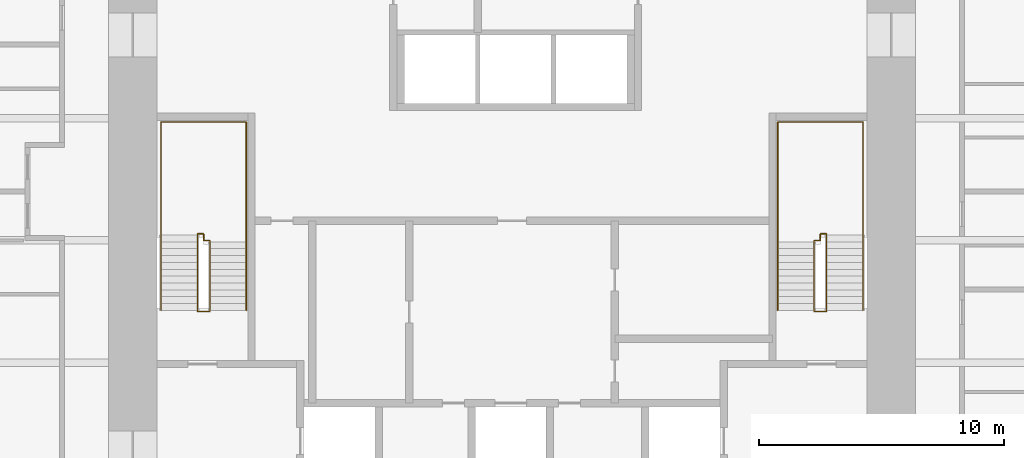
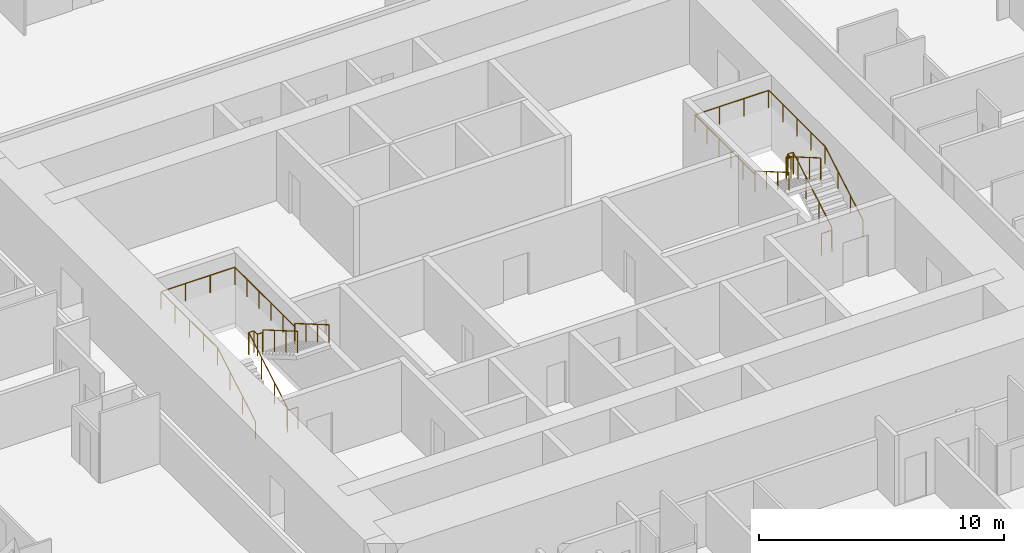
# One storey, part 16 of 16: 4 railings.
"""IFC4 building model written with IfcOpenShell, lengths in metres."""

from ifc_helpers import new_model, si_unit, direction, frame, origin, origin_2d, place, context, subcontext, project, spatial, circle, extrude, material, type_object, element, save


model = new_model("IFC4")

# Units and contexts
model_context = context("Model", 3, precision=1e-05, world=origin(), true_north=direction((0.0, 1.0)))
body_context = subcontext(model_context, "Body", "Model", "MODEL_VIEW")
ifc_project = project(units=[si_unit("LENGTHUNIT", "METRE"), si_unit("AREAUNIT", "SQUARE_METRE"), si_unit("VOLUMEUNIT", "CUBIC_METRE"), si_unit("PLANEANGLEUNIT", "RADIAN"), si_unit("MASSUNIT", "GRAM", prefix="KILO")], contexts=[model_context])

# Site, building, storey
site_placement = place(None, origin())
site = spatial("IfcSite", under=ifc_project, at=site_placement, CompositionType="ELEMENT")
building_placement = place(site_placement, origin())
building = spatial("IfcBuilding", under=site, at=building_placement, Name="Khuree Lantern Residences", CompositionType="ELEMENT")
storey_placement = place(building_placement, frame((0.0, 0.0, 54.75)))
storey = spatial("IfcBuildingStorey", under=building, at=storey_placement, Name="L13", CompositionType="ELEMENT", Elevation=54.75)

# Railings
ifc_material = material(Name="Steel S355", Category="steel")
railing_type_1 = type_object("IfcRailingType", Name="STAIR GUARD G1 1100", PredefinedType="GUARDRAIL", material=ifc_material)
railing_1_placement = place(storey_placement, frame((-12.35009765625, -2.909912109375, 0.0)))
element("IfcRailing", 1, at=railing_1_placement, inside=storey, type_object=railing_type_1, Name="Stair ST1 guard", PredefinedType="GUARDRAIL", context=body_context, shape_type="SweptSolid", body=[
    extrude(circle(Radius=0.02392578125, at=origin_2d()), frame((0.0, 0.0, 1.076171875), z_axis=(-1.0, 0.0, 0.0), x_axis=(0.0, -1.0, 0.0)), (0.0, 0.0, 1.0), 0.5),
    extrude(circle(Radius=0.02392578125, at=origin_2d()), frame((-0.5, 0.0, 1.076171875), z_axis=(0.0, 0.292073035251, 0.95639601739), x_axis=(-1.0, 0.0, 0.0)), (0.0, 0.0, 1.0), 0.17041015625),
    extrude(circle(Radius=0.02392578125, at=origin_2d()), frame((-0.5, 0.0498046875, 1.2392578125), z_axis=(0.0, 0.864176135923, 0.503189433615), x_axis=(-1.0, 0.0, 0.0)), (0.0, 0.0, 1.0), 3.564208984375),
    extrude(circle(Radius=0.02392578125, at=origin_2d()), frame((-0.5, 3.1298828125, 3.03271484375), z_axis=(0.0, 1.0, 0.0), x_axis=(-1.0, 0.0, 0.0)), (0.0, 0.0, 1.0), 0.050048828125),
    extrude(circle(Radius=0.02392578125, at=origin_2d()), frame((-0.5, 3.179931640625, 3.03271484375), z_axis=(1.0, 0.0, 0.0), x_axis=(0.0, 1.0, 0.0)), (0.0, 0.0, 1.0), 0.25),
    extrude(circle(Radius=0.02392578125, at=origin_2d()), frame((-0.25, 3.179931640625, 3.03271484375), z_axis=(0.0, -1.0, 0.0), x_axis=(1.0, 0.0, 0.0)), (0.0, 0.0, 1.0), 0.280029296875),
    extrude(circle(Radius=0.02392578125, at=origin_2d()), frame((-0.25, 2.89990234375, 3.03271484375), z_axis=(1.0, 0.0, 0.0), x_axis=(0.0, 1.0, 0.0)), (0.0, 0.0, 1.0), 0.25),
    extrude(circle(Radius=0.02392578125, at=origin_2d()), frame((0.0, 2.89990234375, 3.03271484375), z_axis=(0.0, -0.293381807449, 0.955995353053), x_axis=(1.0, 0.0, 0.0)), (0.0, 0.0, 1.0), 0.170654296875),
    extrude(circle(Radius=0.02392578125, at=origin_2d()), frame((0.0, 2.849853515625, 3.19580078125), z_axis=(0.0, -0.864180358799, 0.503182181189), x_axis=(1.0, 0.0, 0.0)), (0.0, 0.0, 1.0), 3.240234375),
    extrude(circle(Radius=0.02099609375, at=origin_2d()), origin(), (0.0, 0.0, 1.0), 1.052001953125),
    extrude(circle(Radius=0.02099609375, at=origin_2d()), frame((-0.5, 0.0, 0.0)), (0.0, 0.0, 1.0), 1.052001953125),
    extrude(circle(Radius=0.02099609375, at=origin_2d()), frame((-0.5, 0.0498046875, 0.1630859375)), (0.0, 0.0, 1.0), 1.052001953125),
    extrude(circle(Radius=0.02099609375, at=origin_2d()), frame((-0.5, 1.076416015625, 0.760986328125)), (0.0, 0.0, 1.0), 1.052001953125),
    extrude(circle(Radius=0.02099609375, at=origin_2d()), frame((-0.5, 2.103271484375, 1.358642578125)), (0.0, 0.0, 1.0), 1.052001953125),
    extrude(circle(Radius=0.02099609375, at=origin_2d()), frame((-0.5, 3.1298828125, 1.95654296875)), (0.0, 0.0, 1.0), 1.052001953125),
    extrude(circle(Radius=0.02099609375, at=origin_2d()), frame((-0.5, 3.179931640625, 1.95654296875)), (0.0, 0.0, 1.0), 1.052001953125),
    extrude(circle(Radius=0.02099609375, at=origin_2d()), frame((-0.25, 3.179931640625, 1.95654296875)), (0.0, 0.0, 1.0), 1.052001953125),
    extrude(circle(Radius=0.02099609375, at=origin_2d()), frame((-0.25, 2.89990234375, 1.95654296875)), (0.0, 0.0, 1.0), 1.052001953125),
    extrude(circle(Radius=0.02099609375, at=origin_2d()), frame((0.0, 2.89990234375, 1.95654296875)), (0.0, 0.0, 1.0), 1.052001953125),
    extrude(circle(Radius=0.02099609375, at=origin_2d()), frame((0.0, 2.849853515625, 2.11962890625)), (0.0, 0.0, 1.0), 1.052001953125),
    extrude(circle(Radius=0.02099609375, at=origin_2d()), frame((0.0, 1.91650390625, 2.6630859375)), (0.0, 0.0, 1.0), 1.052001953125),
    extrude(circle(Radius=0.02099609375, at=origin_2d()), frame((0.0, 0.983154296875, 3.20654296875)), (0.0, 0.0, 1.0), 1.052001953125),
    extrude(circle(Radius=0.02099609375, at=origin_2d()), frame((0.0, 0.0498046875, 3.75)), (0.0, 0.0, 1.0), 1.052001953125),
])
railing_2_placement = place(storey_placement, frame((12.35009765625, -2.909912109375, 0.0)))
element("IfcRailing", 2, at=railing_2_placement, inside=storey, type_object=railing_type_1, Name="Stair ST2 guard", PredefinedType="GUARDRAIL", context=body_context, shape_type="SweptSolid", body=[
    extrude(circle(Radius=0.02392578125, at=origin_2d()), frame((0.0, 0.0, 1.076171875), z_axis=(1.0, 0.0, 0.0), x_axis=(0.0, 1.0, 0.0)), (0.0, 0.0, 1.0), 0.5),
    extrude(circle(Radius=0.02392578125, at=origin_2d()), frame((0.5, 0.0, 1.076171875), z_axis=(0.0, 0.292073035251, 0.95639601739), x_axis=(-1.0, 0.0, 0.0)), (0.0, 0.0, 1.0), 0.17041015625),
    extrude(circle(Radius=0.02392578125, at=origin_2d()), frame((0.5, 0.0498046875, 1.2392578125), z_axis=(0.0, 0.864176135923, 0.503189433615), x_axis=(-1.0, 0.0, 0.0)), (0.0, 0.0, 1.0), 3.564208984375),
    extrude(circle(Radius=0.02392578125, at=origin_2d()), frame((0.5, 3.1298828125, 3.03271484375), z_axis=(0.0, 1.0, 0.0), x_axis=(-1.0, 0.0, 0.0)), (0.0, 0.0, 1.0), 0.050048828125),
    extrude(circle(Radius=0.02392578125, at=origin_2d()), frame((0.5, 3.179931640625, 3.03271484375), z_axis=(-1.0, 0.0, 0.0), x_axis=(0.0, -1.0, 0.0)), (0.0, 0.0, 1.0), 0.25),
    extrude(circle(Radius=0.02392578125, at=origin_2d()), frame((0.25, 3.179931640625, 3.03271484375), z_axis=(0.0, -1.0, 0.0), x_axis=(1.0, 0.0, 0.0)), (0.0, 0.0, 1.0), 0.280029296875),
    extrude(circle(Radius=0.02392578125, at=origin_2d()), frame((0.25, 2.89990234375, 3.03271484375), z_axis=(-1.0, 0.0, 0.0), x_axis=(0.0, -1.0, 0.0)), (0.0, 0.0, 1.0), 0.25),
    extrude(circle(Radius=0.02392578125, at=origin_2d()), frame((0.0, 2.89990234375, 3.03271484375), z_axis=(0.0, -0.293381807449, 0.955995353053), x_axis=(1.0, 0.0, 0.0)), (0.0, 0.0, 1.0), 0.170654296875),
    extrude(circle(Radius=0.02392578125, at=origin_2d()), frame((0.0, 2.849853515625, 3.19580078125), z_axis=(0.0, -0.864180358799, 0.503182181189), x_axis=(1.0, 0.0, 0.0)), (0.0, 0.0, 1.0), 3.240234375),
    extrude(circle(Radius=0.02099609375, at=origin_2d()), origin(), (0.0, 0.0, 1.0), 1.052001953125),
    extrude(circle(Radius=0.02099609375, at=origin_2d()), frame((0.5, 0.0, 0.0)), (0.0, 0.0, 1.0), 1.052001953125),
    extrude(circle(Radius=0.02099609375, at=origin_2d()), frame((0.5, 0.0498046875, 0.1630859375)), (0.0, 0.0, 1.0), 1.052001953125),
    extrude(circle(Radius=0.02099609375, at=origin_2d()), frame((0.5, 1.076416015625, 0.760986328125)), (0.0, 0.0, 1.0), 1.052001953125),
    extrude(circle(Radius=0.02099609375, at=origin_2d()), frame((0.5, 2.103271484375, 1.358642578125)), (0.0, 0.0, 1.0), 1.052001953125),
    extrude(circle(Radius=0.02099609375, at=origin_2d()), frame((0.5, 3.1298828125, 1.95654296875)), (0.0, 0.0, 1.0), 1.052001953125),
    extrude(circle(Radius=0.02099609375, at=origin_2d()), frame((0.5, 3.179931640625, 1.95654296875)), (0.0, 0.0, 1.0), 1.052001953125),
    extrude(circle(Radius=0.02099609375, at=origin_2d()), frame((0.25, 3.179931640625, 1.95654296875)), (0.0, 0.0, 1.0), 1.052001953125),
    extrude(circle(Radius=0.02099609375, at=origin_2d()), frame((0.25, 2.89990234375, 1.95654296875)), (0.0, 0.0, 1.0), 1.052001953125),
    extrude(circle(Radius=0.02099609375, at=origin_2d()), frame((0.0, 2.89990234375, 1.95654296875)), (0.0, 0.0, 1.0), 1.052001953125),
    extrude(circle(Radius=0.02099609375, at=origin_2d()), frame((0.0, 2.849853515625, 2.11962890625)), (0.0, 0.0, 1.0), 1.052001953125),
    extrude(circle(Radius=0.02099609375, at=origin_2d()), frame((0.0, 1.91650390625, 2.6630859375)), (0.0, 0.0, 1.0), 1.052001953125),
    extrude(circle(Radius=0.02099609375, at=origin_2d()), frame((0.0, 0.983154296875, 3.20654296875)), (0.0, 0.0, 1.0), 1.052001953125),
    extrude(circle(Radius=0.02099609375, at=origin_2d()), frame((0.0, 0.0498046875, 3.75)), (0.0, 0.0, 1.0), 1.052001953125),
])
railing_type_2 = type_object("IfcRailingType", Name="STAIR HANDRAIL H1 900", PredefinedType="HANDRAIL", material=ifc_material)
railing_3_placement = place(storey_placement, frame((-14.340087890625, -2.860107421875, 0.1630859375)))
element("IfcRailing", 3, at=railing_3_placement, inside=storey, type_object=railing_type_2, Name="Stair ST1 handrail", PredefinedType="HANDRAIL", context=body_context, shape_type="SweptSolid", body=[
    extrude(circle(Radius=0.02392578125, at=origin_2d()), frame((0.0, 0.0, 0.8759765625), z_axis=(0.0, 0.864176135923, 0.503189433615), x_axis=(-1.0, 0.0, 0.0)), (0.0, 0.0, 1.0), 3.564208984375),
    extrude(circle(Radius=0.02392578125, at=origin_2d()), frame((0.0, 3.080078125, 2.66943359375), z_axis=(0.0, 1.0, 0.0), x_axis=(-1.0, 0.0, 0.0)), (0.0, 0.0, 1.0), 4.6201171875),
    extrude(circle(Radius=0.02392578125, at=origin_2d()), frame((0.0, 7.7001953125, 2.66943359375), z_axis=(1.0, 0.0, 0.0), x_axis=(0.0, 1.0, 0.0)), (0.0, 0.0, 1.0), 3.47998046875),
    extrude(circle(Radius=0.02392578125, at=origin_2d()), frame((3.47998046875, 7.7001953125, 2.66943359375), z_axis=(0.0, -1.0, 0.0), x_axis=(1.0, 0.0, 0.0)), (0.0, 0.0, 1.0), 4.900146484375),
    extrude(circle(Radius=0.02392578125, at=origin_2d()), frame((3.47998046875, 2.800048828125, 2.66943359375), z_axis=(0.0, 0.0, 1.0), x_axis=(1.0, 0.0, 0.0)), (0.0, 0.0, 1.0), 0.1630859375),
    extrude(circle(Radius=0.02392578125, at=origin_2d()), frame((3.47998046875, 2.800048828125, 2.83251953125), z_axis=(0.0, -0.864180358799, 0.503182181189), x_axis=(1.0, 0.0, 0.0)), (0.0, 0.0, 1.0), 3.240234375),
    extrude(circle(Radius=0.02099609375, at=origin_2d()), origin(), (0.0, 0.0, 1.0), 0.851806640625),
    extrude(circle(Radius=0.02099609375, at=origin_2d()), frame((0.0, 1.026611328125, 0.597900390625)), (0.0, 0.0, 1.0), 0.851806640625),
    extrude(circle(Radius=0.02099609375, at=origin_2d()), frame((0.0, 2.053466796875, 1.195556640625)), (0.0, 0.0, 1.0), 0.851806640625),
    extrude(circle(Radius=0.02099609375, at=origin_2d()), frame((0.0, 3.080078125, 1.79345703125)), (0.0, 0.0, 1.0), 0.851806640625),
    extrude(circle(Radius=0.02099609375, at=origin_2d()), frame((0.0, 4.235107421875, 1.79345703125)), (0.0, 0.0, 1.0), 0.851806640625),
    extrude(circle(Radius=0.02099609375, at=origin_2d()), frame((0.0, 5.39013671875, 1.79345703125)), (0.0, 0.0, 1.0), 0.851806640625),
    extrude(circle(Radius=0.02099609375, at=origin_2d()), frame((0.0, 6.545166015625, 1.79345703125)), (0.0, 0.0, 1.0), 0.851806640625),
    extrude(circle(Radius=0.02099609375, at=origin_2d()), frame((0.0, 7.7001953125, 1.79345703125)), (0.0, 0.0, 1.0), 0.851806640625),
    extrude(circle(Radius=0.02099609375, at=origin_2d()), frame((1.159912109375, 7.7001953125, 1.79345703125)), (0.0, 0.0, 1.0), 0.851806640625),
    extrude(circle(Radius=0.02099609375, at=origin_2d()), frame((2.320068359375, 7.7001953125, 1.79345703125)), (0.0, 0.0, 1.0), 0.851806640625),
    extrude(circle(Radius=0.02099609375, at=origin_2d()), frame((3.47998046875, 7.7001953125, 1.79345703125)), (0.0, 0.0, 1.0), 0.851806640625),
    extrude(circle(Radius=0.02099609375, at=origin_2d()), frame((3.47998046875, 6.72021484375, 1.79345703125)), (0.0, 0.0, 1.0), 0.851806640625),
    extrude(circle(Radius=0.02099609375, at=origin_2d()), frame((3.47998046875, 5.740234375, 1.79345703125)), (0.0, 0.0, 1.0), 0.851806640625),
    extrude(circle(Radius=0.02099609375, at=origin_2d()), frame((3.47998046875, 4.760009765625, 1.79345703125)), (0.0, 0.0, 1.0), 0.851806640625),
    extrude(circle(Radius=0.02099609375, at=origin_2d()), frame((3.47998046875, 3.780029296875, 1.79345703125)), (0.0, 0.0, 1.0), 0.851806640625),
    extrude(circle(Radius=0.02099609375, at=origin_2d()), frame((3.47998046875, 2.800048828125, 1.79345703125)), (0.0, 0.0, 1.0), 0.851806640625),
    extrude(circle(Radius=0.02099609375, at=origin_2d()), frame((3.47998046875, 2.800048828125, 1.95654296875)), (0.0, 0.0, 1.0), 0.851806640625),
    extrude(circle(Radius=0.02099609375, at=origin_2d()), frame((3.47998046875, 1.86669921875, 2.5)), (0.0, 0.0, 1.0), 0.851806640625),
    extrude(circle(Radius=0.02099609375, at=origin_2d()), frame((3.47998046875, 0.933349609375, 3.04345703125)), (0.0, 0.0, 1.0), 0.851806640625),
    extrude(circle(Radius=0.02099609375, at=origin_2d()), frame((3.47998046875, 0.0, 3.5869140625)), (0.0, 0.0, 1.0), 0.851806640625),
])
railing_4_placement = place(storey_placement, frame((14.340087890625, -2.860107421875, 0.1630859375)))
element("IfcRailing", 4, at=railing_4_placement, inside=storey, type_object=railing_type_2, Name="Stair ST2 handrail", PredefinedType="HANDRAIL", context=body_context, shape_type="SweptSolid", body=[
    extrude(circle(Radius=0.02392578125, at=origin_2d()), frame((0.0, 0.0, 0.8759765625), z_axis=(0.0, 0.864176135923, 0.503189433615), x_axis=(-1.0, 0.0, 0.0)), (0.0, 0.0, 1.0), 3.564208984375),
    extrude(circle(Radius=0.02392578125, at=origin_2d()), frame((0.0, 3.080078125, 2.66943359375), z_axis=(0.0, 1.0, 0.0), x_axis=(-1.0, 0.0, 0.0)), (0.0, 0.0, 1.0), 4.6201171875),
    extrude(circle(Radius=0.02392578125, at=origin_2d()), frame((0.0, 7.7001953125, 2.66943359375), z_axis=(-1.0, 0.0, 0.0), x_axis=(0.0, -1.0, 0.0)), (0.0, 0.0, 1.0), 3.47998046875),
    extrude(circle(Radius=0.02392578125, at=origin_2d()), frame((-3.47998046875, 7.7001953125, 2.66943359375), z_axis=(0.0, -1.0, 0.0), x_axis=(1.0, 0.0, 0.0)), (0.0, 0.0, 1.0), 4.900146484375),
    extrude(circle(Radius=0.02392578125, at=origin_2d()), frame((-3.47998046875, 2.800048828125, 2.66943359375), z_axis=(0.0, 0.0, 1.0), x_axis=(1.0, 0.0, 0.0)), (0.0, 0.0, 1.0), 0.1630859375),
    extrude(circle(Radius=0.02392578125, at=origin_2d()), frame((-3.47998046875, 2.800048828125, 2.83251953125), z_axis=(0.0, -0.864180358799, 0.503182181189), x_axis=(1.0, 0.0, 0.0)), (0.0, 0.0, 1.0), 3.240234375),
    extrude(circle(Radius=0.02099609375, at=origin_2d()), origin(), (0.0, 0.0, 1.0), 0.851806640625),
    extrude(circle(Radius=0.02099609375, at=origin_2d()), frame((0.0, 1.026611328125, 0.597900390625)), (0.0, 0.0, 1.0), 0.851806640625),
    extrude(circle(Radius=0.02099609375, at=origin_2d()), frame((0.0, 2.053466796875, 1.195556640625)), (0.0, 0.0, 1.0), 0.851806640625),
    extrude(circle(Radius=0.02099609375, at=origin_2d()), frame((0.0, 3.080078125, 1.79345703125)), (0.0, 0.0, 1.0), 0.851806640625),
    extrude(circle(Radius=0.02099609375, at=origin_2d()), frame((0.0, 4.235107421875, 1.79345703125)), (0.0, 0.0, 1.0), 0.851806640625),
    extrude(circle(Radius=0.02099609375, at=origin_2d()), frame((0.0, 5.39013671875, 1.79345703125)), (0.0, 0.0, 1.0), 0.851806640625),
    extrude(circle(Radius=0.02099609375, at=origin_2d()), frame((0.0, 6.545166015625, 1.79345703125)), (0.0, 0.0, 1.0), 0.851806640625),
    extrude(circle(Radius=0.02099609375, at=origin_2d()), frame((0.0, 7.7001953125, 1.79345703125)), (0.0, 0.0, 1.0), 0.851806640625),
    extrude(circle(Radius=0.02099609375, at=origin_2d()), frame((-1.159912109375, 7.7001953125, 1.79345703125)), (0.0, 0.0, 1.0), 0.851806640625),
    extrude(circle(Radius=0.02099609375, at=origin_2d()), frame((-2.320068359375, 7.7001953125, 1.79345703125)), (0.0, 0.0, 1.0), 0.851806640625),
    extrude(circle(Radius=0.02099609375, at=origin_2d()), frame((-3.47998046875, 7.7001953125, 1.79345703125)), (0.0, 0.0, 1.0), 0.851806640625),
    extrude(circle(Radius=0.02099609375, at=origin_2d()), frame((-3.47998046875, 6.72021484375, 1.79345703125)), (0.0, 0.0, 1.0), 0.851806640625),
    extrude(circle(Radius=0.02099609375, at=origin_2d()), frame((-3.47998046875, 5.740234375, 1.79345703125)), (0.0, 0.0, 1.0), 0.851806640625),
    extrude(circle(Radius=0.02099609375, at=origin_2d()), frame((-3.47998046875, 4.760009765625, 1.79345703125)), (0.0, 0.0, 1.0), 0.851806640625),
    extrude(circle(Radius=0.02099609375, at=origin_2d()), frame((-3.47998046875, 3.780029296875, 1.79345703125)), (0.0, 0.0, 1.0), 0.851806640625),
    extrude(circle(Radius=0.02099609375, at=origin_2d()), frame((-3.47998046875, 2.800048828125, 1.79345703125)), (0.0, 0.0, 1.0), 0.851806640625),
    extrude(circle(Radius=0.02099609375, at=origin_2d()), frame((-3.47998046875, 2.800048828125, 1.95654296875)), (0.0, 0.0, 1.0), 0.851806640625),
    extrude(circle(Radius=0.02099609375, at=origin_2d()), frame((-3.47998046875, 1.86669921875, 2.5)), (0.0, 0.0, 1.0), 0.851806640625),
    extrude(circle(Radius=0.02099609375, at=origin_2d()), frame((-3.47998046875, 0.933349609375, 3.04345703125)), (0.0, 0.0, 1.0), 0.851806640625),
    extrude(circle(Radius=0.02099609375, at=origin_2d()), frame((-3.47998046875, 0.0, 3.5869140625)), (0.0, 0.0, 1.0), 0.851806640625),
])

save(model, "model.ifc")
